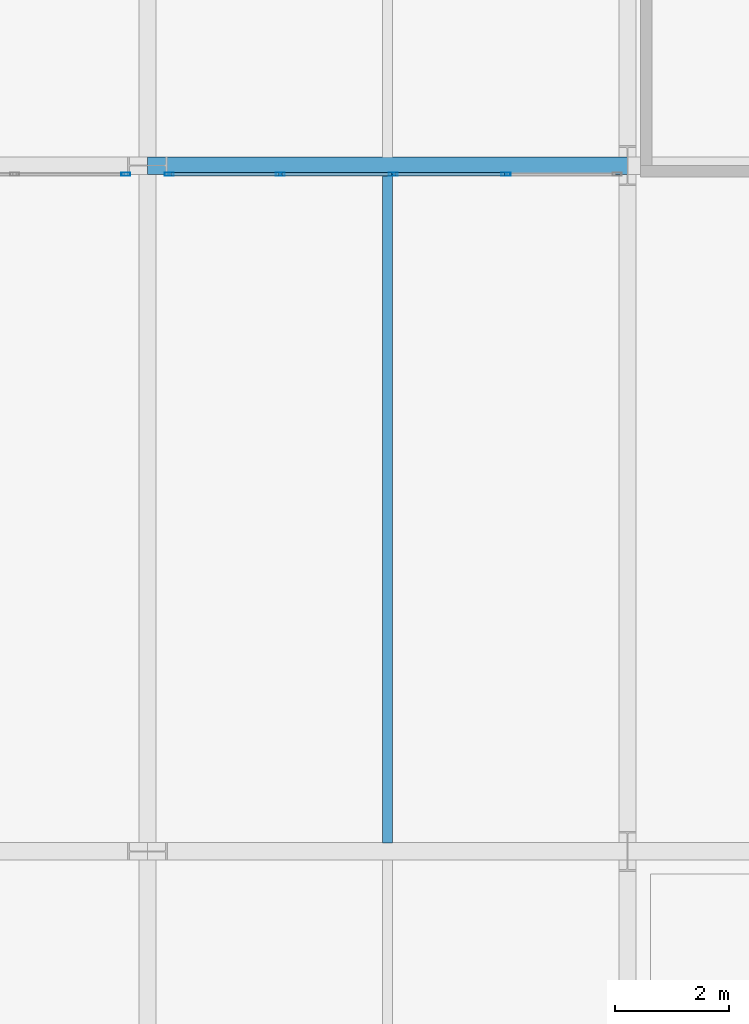
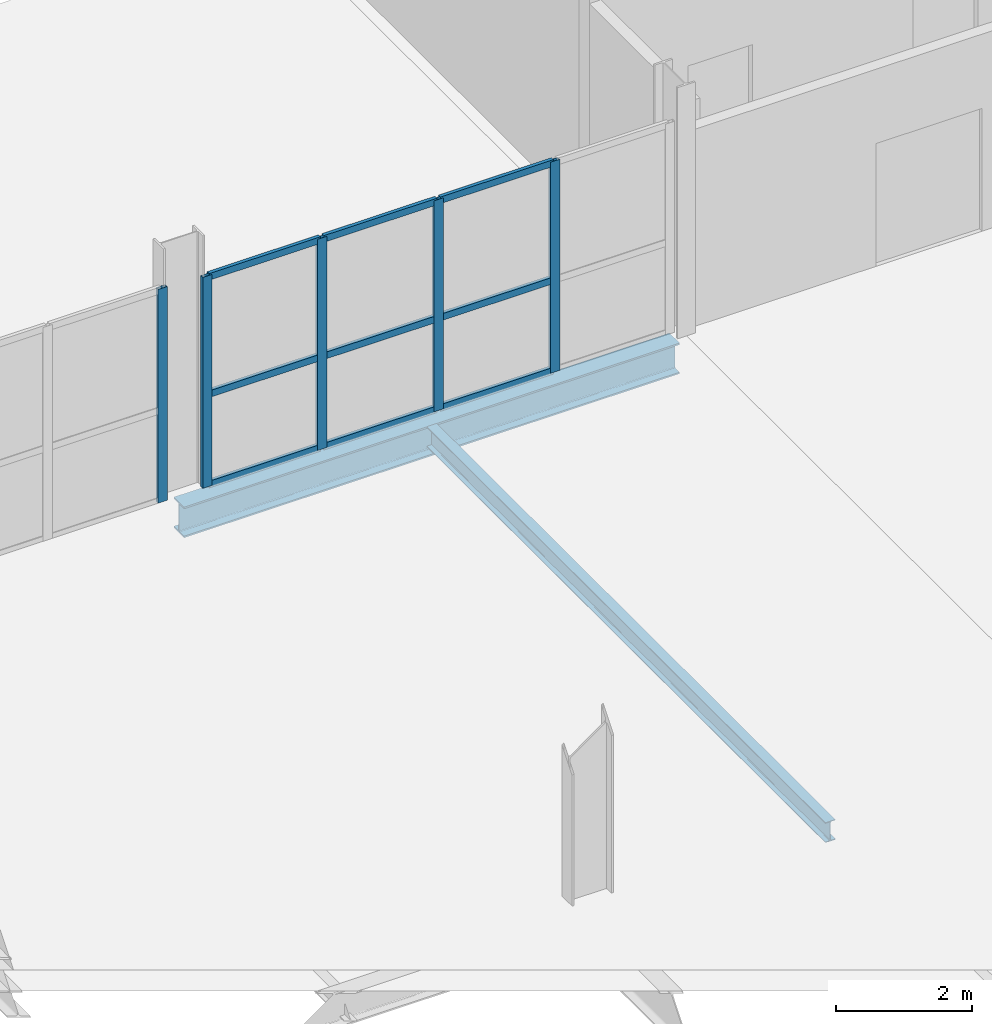
# One storey, part 22 of 113: 14 members, 2 beams, 2 elements without a shape of their own.
"""IFC4 building model written with IfcOpenShell, lengths in metres."""

from ifc_helpers import new_model, si_unit, direction, frame, origin, origin_2d, place, context, subcontext, project, spatial, hollow_rectangle, i_section, extrude, material, material_profile, profile_set, type_object, element, aggregate, save


model = new_model("IFC4")

# Units and contexts
model_context = context("Model", 3, precision=1e-05, world=origin(), true_north=direction((0.0, 1.0)))
body_context = subcontext(model_context, "Body", "Model", "MODEL_VIEW")
ifc_project = project(units=[si_unit("LENGTHUNIT", "METRE"), si_unit("AREAUNIT", "SQUARE_METRE"), si_unit("VOLUMEUNIT", "CUBIC_METRE"), si_unit("PLANEANGLEUNIT", "RADIAN"), si_unit("MASSUNIT", "GRAM", prefix="KILO")], contexts=[model_context])

# Site, building, storey
site_placement = place(None, origin())
site = spatial("IfcSite", under=ifc_project, at=site_placement, CompositionType="ELEMENT")
building_placement = place(site_placement, origin())
building = spatial("IfcBuilding", under=site, at=building_placement, Name="Veltarok Museum of Natural Sciences", CompositionType="ELEMENT")
storey_placement = place(building_placement, frame((0.0, 0.0, 8.39990234375)))
storey = spatial("IfcBuildingStorey", under=building, at=storey_placement, Name="L01", CompositionType="ELEMENT", Elevation=8.39990234375)

# Curtain wall, members
ifc_material_1 = material(Name="Low-iron triple insulated glass", Category="glass")
curtain_wall_type_1 = type_object("IfcCurtainWallType", Name="Curtain Wall System CW-PASN1-L01-2-790x378 (CW-PASN1 L01 790x378cm)", PredefinedType="NOTDEFINED", material=ifc_material_1)
curtain_wall_1_placement = place(storey_placement, origin())
curtain_wall_1 = element("IfcCurtainWall", 1, at=curtain_wall_1_placement, inside=storey, type_object=curtain_wall_type_1, Name="Curtain Wall CW-PASN1-L01-2-790x378 CW-0210", PredefinedType="NOTDEFINED")
ifc_material_2 = material(Name="Thermally broken anodised aluminium", Category="aluminium")
ifc_material_profile_1 = material_profile(ifc_material_2, hollow_rectangle(XDim=0.06005859375, YDim=0.1201171875, WallThickness=0.0048828125, at=origin_2d()), Name="CW TRANSOM 60x120x5")
ifc_profile_set_1 = profile_set([ifc_material_profile_1], Name="Thermally broken anodised aluminium")
member_type_1 = type_object("IfcMemberType", Name="Curtain Wall Horizontal Transom 60x120x5", PredefinedType="USERDEFINED", material=ifc_profile_set_1)
member_1_placement = place(storey_placement, frame((37.844970703125, 59.85009765625, 0.028076171875), z_axis=(-1.0, 0.0, 0.0), x_axis=(0.0, -1.0, 0.0)))
member_1 = element("IfcMember", 2, at=member_1_placement, type_object=member_type_1, Name="CW-PASN1-L01-2-790x378 transom 2.1", ObjectType="TRANSOM", PredefinedType="USERDEFINED", context=body_context, shape_type="SweptSolid", body=[
    extrude(hollow_rectangle(XDim=0.06005859375, YDim=0.1201171875, WallThickness=0.0048828125, at=origin_2d()), origin(), (0.0, 0.0, 1.0), 1.9150390625),
])
member_2_placement = place(storey_placement, frame((37.844970703125, 59.85009765625, 1.648193359375), z_axis=(-1.0, 0.0, 0.0), x_axis=(0.0, -1.0, 0.0)))
member_2 = element("IfcMember", 3, at=member_2_placement, type_object=member_type_1, Name="CW-PASN1-L01-2-790x378 transom 2.2", ObjectType="TRANSOM", PredefinedType="USERDEFINED", context=body_context, shape_type="SweptSolid", body=[
    extrude(hollow_rectangle(XDim=0.06005859375, YDim=0.1201171875, WallThickness=0.0048828125, at=origin_2d()), origin(), (0.0, 0.0, 1.0), 1.9150390625),
])
member_3_placement = place(storey_placement, frame((37.844970703125, 59.85009765625, 3.75), z_axis=(-1.0, 0.0, 0.0), x_axis=(0.0, -1.0, 0.0)))
member_3 = element("IfcMember", 4, at=member_3_placement, type_object=member_type_1, Name="CW-PASN1-L01-2-790x378 transom 2.3", ObjectType="TRANSOM", PredefinedType="USERDEFINED", context=body_context, shape_type="SweptSolid", body=[
    extrude(hollow_rectangle(XDim=0.06005859375, YDim=0.1201171875, WallThickness=0.0048828125, at=origin_2d()), origin(), (0.0, 0.0, 1.0), 1.9150390625),
])
member_4_placement = place(storey_placement, frame((35.8701171875, 59.85009765625, 0.028076171875), z_axis=(-1.0, 0.0, 0.0), x_axis=(0.0, -1.0, 0.0)))
member_4 = element("IfcMember", 5, at=member_4_placement, type_object=member_type_1, Name="CW-PASN1-L01-2-790x378 transom 3.1", ObjectType="TRANSOM", PredefinedType="USERDEFINED", context=body_context, shape_type="SweptSolid", body=[
    extrude(hollow_rectangle(XDim=0.06005859375, YDim=0.1201171875, WallThickness=0.0048828125, at=origin_2d()), origin(), (0.0, 0.0, 1.0), 1.9150390625),
])
member_5_placement = place(storey_placement, frame((35.8701171875, 59.85009765625, 1.648193359375), z_axis=(-1.0, 0.0, 0.0), x_axis=(0.0, -1.0, 0.0)))
member_5 = element("IfcMember", 6, at=member_5_placement, type_object=member_type_1, Name="CW-PASN1-L01-2-790x378 transom 3.2", ObjectType="TRANSOM", PredefinedType="USERDEFINED", context=body_context, shape_type="SweptSolid", body=[
    extrude(hollow_rectangle(XDim=0.06005859375, YDim=0.1201171875, WallThickness=0.0048828125, at=origin_2d()), origin(), (0.0, 0.0, 1.0), 1.9150390625),
])
member_6_placement = place(storey_placement, frame((35.8701171875, 59.85009765625, 3.75), z_axis=(-1.0, 0.0, 0.0), x_axis=(0.0, -1.0, 0.0)))
member_6 = element("IfcMember", 7, at=member_6_placement, type_object=member_type_1, Name="CW-PASN1-L01-2-790x378 transom 3.3", ObjectType="TRANSOM", PredefinedType="USERDEFINED", context=body_context, shape_type="SweptSolid", body=[
    extrude(hollow_rectangle(XDim=0.06005859375, YDim=0.1201171875, WallThickness=0.0048828125, at=origin_2d()), origin(), (0.0, 0.0, 1.0), 1.9150390625),
])
member_7_placement = place(storey_placement, frame((33.89501953125, 59.85009765625, 0.028076171875), z_axis=(-1.0, 0.0, 0.0), x_axis=(0.0, -1.0, 0.0)))
member_7 = element("IfcMember", 8, at=member_7_placement, type_object=member_type_1, Name="CW-PASN1-L01-2-790x378 transom 4.1", ObjectType="TRANSOM", PredefinedType="USERDEFINED", context=body_context, shape_type="SweptSolid", body=[
    extrude(hollow_rectangle(XDim=0.06005859375, YDim=0.1201171875, WallThickness=0.0048828125, at=origin_2d()), origin(), (0.0, 0.0, 1.0), 1.885009765625),
])
member_8_placement = place(storey_placement, frame((33.89501953125, 59.85009765625, 1.648193359375), z_axis=(-1.0, 0.0, 0.0), x_axis=(0.0, -1.0, 0.0)))
member_8 = element("IfcMember", 9, at=member_8_placement, type_object=member_type_1, Name="CW-PASN1-L01-2-790x378 transom 4.2", ObjectType="TRANSOM", PredefinedType="USERDEFINED", context=body_context, shape_type="SweptSolid", body=[
    extrude(hollow_rectangle(XDim=0.06005859375, YDim=0.1201171875, WallThickness=0.0048828125, at=origin_2d()), origin(), (0.0, 0.0, 1.0), 1.885009765625),
])
member_9_placement = place(storey_placement, frame((33.89501953125, 59.85009765625, 3.75), z_axis=(-1.0, 0.0, 0.0), x_axis=(0.0, -1.0, 0.0)))
member_9 = element("IfcMember", 10, at=member_9_placement, type_object=member_type_1, Name="CW-PASN1-L01-2-790x378 transom 4.3", ObjectType="TRANSOM", PredefinedType="USERDEFINED", context=body_context, shape_type="SweptSolid", body=[
    extrude(hollow_rectangle(XDim=0.06005859375, YDim=0.1201171875, WallThickness=0.0048828125, at=origin_2d()), origin(), (0.0, 0.0, 1.0), 1.885009765625),
])

# Curtain wall, member
curtain_wall_type_2 = type_object("IfcCurtainWallType", Name="Curtain Wall System CW-PASN1-L01-1-790x383 (CW-PASN1 L01 790x383cm)", PredefinedType="NOTDEFINED", material=ifc_material_1)
curtain_wall_2_placement = place(storey_placement, origin())
curtain_wall_2 = element("IfcCurtainWall", 11, at=curtain_wall_2_placement, inside=storey, type_object=curtain_wall_type_2, Name="Curtain Wall CW-PASN1-L01-1-790x383 CW-0209", PredefinedType="NOTDEFINED")
ifc_material_profile_2 = material_profile(ifc_material_2, hollow_rectangle(XDim=0.06005859375, YDim=0.159912109375, WallThickness=0.0048828125, at=origin_2d()), Name="CW MULLION 60x160x5")
ifc_profile_set_2 = profile_set([ifc_material_profile_2], Name="Thermally broken anodised aluminium")
member_type_2 = type_object("IfcMemberType", Name="Curtain Wall Vertical Mullion 60x160x5", PredefinedType="MULLION", material=ifc_profile_set_2)
member_10_placement = place(storey_placement, frame((31.219970703125, 59.85009765625, -0.001953125), z_axis=(0.0, 0.0, 1.0), x_axis=(0.0, -1.0, 0.0)))
member_10 = element("IfcMember", 12, at=member_10_placement, type_object=member_type_2, Name="CW-PASN1-L01-1-790x383 mullion 1", PredefinedType="MULLION", context=body_context, shape_type="SweptSolid", body=[
    extrude(hollow_rectangle(XDim=0.06005859375, YDim=0.159912109375, WallThickness=0.0048828125, at=origin_2d()), origin(), (0.0, 0.0, 1.0), 3.83203125),
])
aggregate(curtain_wall_2, [member_10])

# Member
member_11_placement = place(storey_placement, frame((37.875, 59.85009765625, -0.001953125), z_axis=(0.0, 0.0, 1.0), x_axis=(0.0, -1.0, 0.0)))
member_11 = element("IfcMember", 13, at=member_11_placement, type_object=member_type_2, Name="CW-PASN1-L01-2-790x378 mullion 2", PredefinedType="MULLION", context=body_context, shape_type="SweptSolid", body=[
    extrude(hollow_rectangle(XDim=0.06005859375, YDim=0.159912109375, WallThickness=0.0048828125, at=origin_2d()), origin(), (0.0, 0.0, 1.0), 3.781982421875),
])

member_12_placement = place(storey_placement, frame((35.89990234375, 59.85009765625, -0.001953125), z_axis=(0.0, 0.0, 1.0), x_axis=(0.0, -1.0, 0.0)))
member_12 = element("IfcMember", 14, at=member_12_placement, type_object=member_type_2, Name="CW-PASN1-L01-2-790x378 mullion 3", PredefinedType="MULLION", context=body_context, shape_type="SweptSolid", body=[
    extrude(hollow_rectangle(XDim=0.06005859375, YDim=0.159912109375, WallThickness=0.0048828125, at=origin_2d()), origin(), (0.0, 0.0, 1.0), 3.781982421875),
])

member_13_placement = place(storey_placement, frame((33.925048828125, 59.85009765625, -0.001953125), z_axis=(0.0, 0.0, 1.0), x_axis=(0.0, -1.0, 0.0)))
member_13 = element("IfcMember", 15, at=member_13_placement, type_object=member_type_2, Name="CW-PASN1-L01-2-790x378 mullion 4", PredefinedType="MULLION", context=body_context, shape_type="SweptSolid", body=[
    extrude(hollow_rectangle(XDim=0.06005859375, YDim=0.159912109375, WallThickness=0.0048828125, at=origin_2d()), origin(), (0.0, 0.0, 1.0), 3.781982421875),
])

member_14_placement = place(storey_placement, frame((31.97998046875, 59.85009765625, -0.001953125), z_axis=(0.0, 0.0, 1.0), x_axis=(0.0, -1.0, 0.0)))
member_14 = element("IfcMember", 16, at=member_14_placement, type_object=member_type_2, Name="CW-PASN1-L01-2-790x378 mullion 5", PredefinedType="MULLION", context=body_context, shape_type="SweptSolid", body=[
    extrude(hollow_rectangle(XDim=0.06005859375, YDim=0.159912109375, WallThickness=0.0048828125, at=origin_2d()), origin(), (0.0, 0.0, 1.0), 3.781982421875),
])

aggregate(curtain_wall_1, [member_11, member_12, member_13, member_14, member_1, member_2, member_3, member_4, member_5, member_6, member_7, member_8, member_9])

# Beams
ifc_material_3 = material(Name="Steel S355J2", Category="steel")
ifc_material_profile_3 = material_profile(ifc_material_3, i_section(OverallWidth=0.300048828125, OverallDepth=0.550048828125, WebThickness=0.014892578125, FlangeThickness=0.029052734375, FilletRadius=0.027099609375, at=origin_2d()), Name="HEB 550")
ifc_profile_set_3 = profile_set([ifc_material_profile_3], Name="Steel S355J2")
beam_type_1 = type_object("IfcBeamType", Name="Gallery Girder HEB 550", PredefinedType="BEAM", material=ifc_profile_set_3)
beam_1_placement = place(storey_placement, frame((31.60009765625, 60.0, -0.52490234375), z_axis=(1.0, 0.0, 0.0), x_axis=(0.0, 1.0, 0.0)))
element("IfcBeam", 17, at=beam_1_placement, inside=storey, type_object=beam_type_1, Name="Beam BM-G10 L01 4-5/G", PredefinedType="BEAM", context=body_context, shape_type="SweptSolid", body=[
    extrude(i_section(OverallWidth=0.300048828125, OverallDepth=0.550048828125, WebThickness=0.014892578125, FlangeThickness=0.029052734375, FilletRadius=0.027099609375, at=origin_2d()), origin(), (0.0, 0.0, 1.0), 8.39990234375),
])
ifc_material_profile_4 = material_profile(ifc_material_3, i_section(OverallWidth=0.169921875, OverallDepth=0.360107421875, WebThickness=0.008056640625, FlangeThickness=0.0126953125, FilletRadius=0.01806640625, at=origin_2d()), Name="IPE 360")
ifc_profile_set_4 = profile_set([ifc_material_profile_4], Name="Steel S355J2")
beam_type_2 = type_object("IfcBeamType", Name="Long-Bay Composite Joist IPE 360", PredefinedType="JOIST", material=ifc_profile_set_4)
beam_2_placement = place(storey_placement, frame((35.800048828125, 48.14794921875, -0.429931640625), z_axis=(0.0, 1.0, 0.0), x_axis=(-1.0, 0.0, 0.0)))
element("IfcBeam", 18, at=beam_2_placement, inside=storey, type_object=beam_type_2, Name="Secondary Joist BM-J01 L01 4-5/F-G.1", PredefinedType="JOIST", context=body_context, shape_type="SweptSolid", body=[
    extrude(i_section(OverallWidth=0.169921875, OverallDepth=0.360107421875, WebThickness=0.008056640625, FlangeThickness=0.0126953125, FilletRadius=0.01806640625, at=origin_2d()), origin(), (0.0, 0.0, 1.0), 11.7041015625),
])

save(model, "model.ifc")
